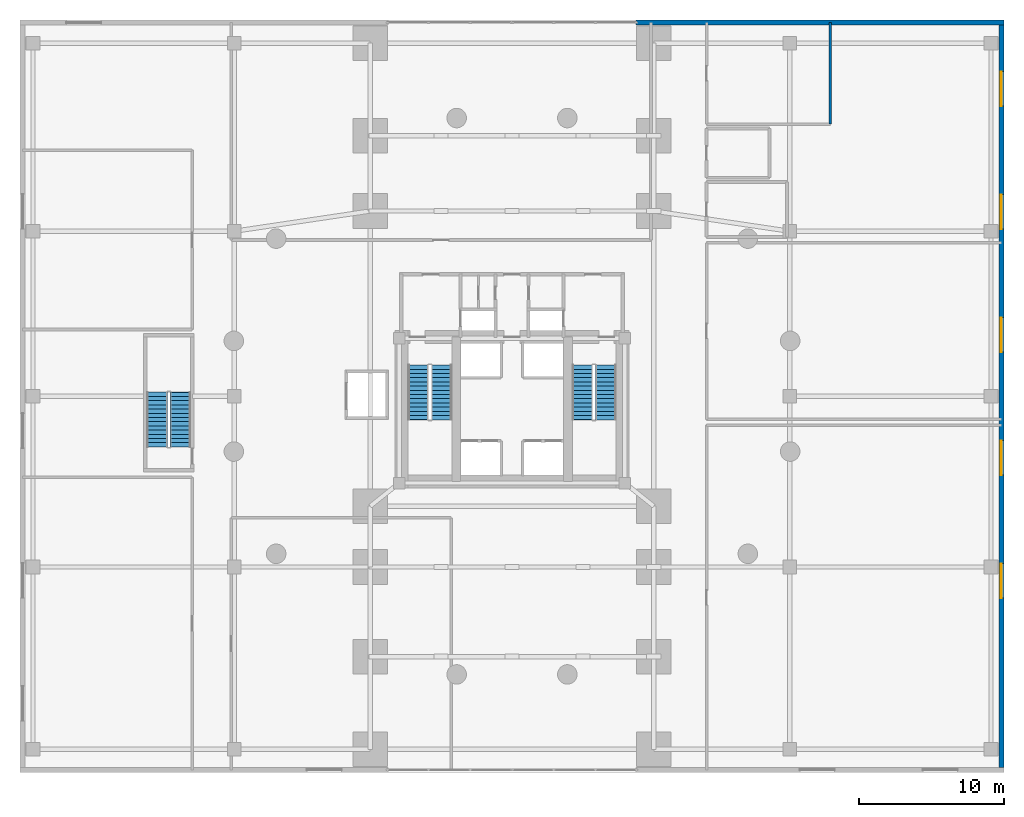
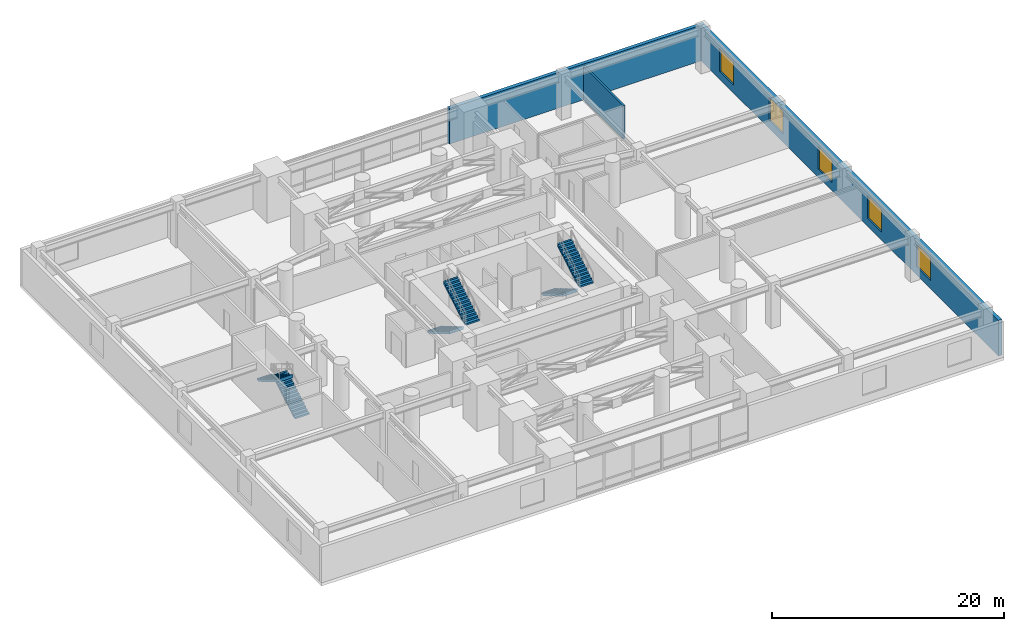
# One storey, part 16 of 17: 6 stair flights, 5 windows, 3 walls, 5 openings, 3 elements without a shape of their own.
"""IFC4 building model written with IfcOpenShell, lengths in metres."""

from ifc_helpers import new_model, si_unit, direction, frame, frame_2d, origin, place, context, subcontext, project, spatial, polyline, rectangle, outline, extrude, material, layer, layer_set, type_object, element, fill, aggregate, save


model = new_model("IFC4")

# Units and contexts
model_context = context("Model", 3, precision=1e-05, world=origin(), true_north=direction((0.0, 1.0)))
body_context = subcontext(model_context, "Body", "Model", "MODEL_VIEW")
ifc_project = project(units=[si_unit("LENGTHUNIT", "METRE"), si_unit("AREAUNIT", "SQUARE_METRE"), si_unit("VOLUMEUNIT", "CUBIC_METRE"), si_unit("PLANEANGLEUNIT", "RADIAN"), si_unit("MASSUNIT", "GRAM", prefix="KILO"), si_unit("THERMODYNAMICTEMPERATUREUNIT", "KELVIN"), si_unit("POWERUNIT", "WATT")], contexts=[model_context])

# Site, building, storey
site_placement = place(None, origin())
site = spatial("IfcSite", under=ifc_project, at=site_placement, CompositionType="ELEMENT")
building_placement = place(site_placement, origin())
building = spatial("IfcBuilding", under=site, at=building_placement, Name="Ocrelia Relay Tower", CompositionType="ELEMENT")
storey_placement = place(building_placement, frame((0.0, 0.0, 20.39990234375)))
storey = spatial("IfcBuildingStorey", under=building, at=storey_placement, Name="L04", CompositionType="ELEMENT", Elevation=20.39990234375)

# Wall
ifc_material_1 = material(Name="Gypsum Fireboard Partition EI60", Category="gypsum")
ifc_layer_1 = layer(ifc_material_1, 0.179931640625, Name="Gypsum Fireboard Partition EI60")
ifc_layer_set_1 = layer_set([ifc_layer_1], Name="Gypsum Fireboard Partition EI60")
wall_type_1 = type_object("IfcWallType", Name="W-CORR-EI60-180", PredefinedType="PARTITIONING", material=ifc_layer_set_1)
wall_1_placement = place(storey_placement, frame((56.0, 44.800048828125, 0.0), z_axis=(0.0, 0.0, 1.0), x_axis=(0.0, 1.0, 0.0)))
element("IfcWall", 1, at=wall_1_placement, inside=storey, type_object=wall_type_1, Name="L04 Terrace Reading Lounge E Partition", PredefinedType="PARTITIONING", context=body_context, shape_type="SweptSolid", body=[
    extrude(rectangle(XDim=7.02001953125, YDim=0.179931640625, at=frame_2d((3.510009765625, 0.0))), origin(), (0.0, 0.0, 1.0), 3.56005859375),
])

# Wall, openings, windows
ifc_material_2 = material(Name="Precast concrete C40/50 with oxide terracotta", Category="masonry")
ifc_layer_2 = layer(ifc_material_2, 0.35009765625, Name="Precast concrete C40/50 with oxide terracotta")
ifc_layer_set_2 = layer_set([ifc_layer_2], Name="Precast concrete C40/50 with oxide terracotta")
wall_type_2 = type_object("IfcWallType", Name="W-EXT-POD-350", PredefinedType="SOLIDWALL", material=ifc_layer_set_2)
wall_2_placement = place(storey_placement, frame((67.820068359375, 51.639892578125, 0.0), z_axis=(0.0, 0.0, 1.0), x_axis=(0.0, -1.0, 0.0)))
wall_2 = element("IfcWall", 2, at=wall_2_placement, inside=storey, type_object=wall_type_2, Name="L04 Oxide Terracotta Podium Wall EE", PredefinedType="SOLIDWALL", context=body_context, shape_type="SweptSolid", body=[
    extrude(rectangle(XDim=51.27978515625, YDim=0.35009765625, at=frame_2d((25.639892578125, 0.0))), origin(), (0.0, 0.0, 1.0), 3.760009765625),
])
opening_1_placement = place(wall_2_placement, frame((3.199951171875, 0.0, 0.85009765625)))
opening_1 = element("IfcOpeningElement", 3, at=opening_1_placement, cuts=wall_2, Name="Opening W-01", PredefinedType="OPENING", context=body_context, shape_type="SweptSolid", body=[
    extrude(rectangle(XDim=2.39990234375, YDim=2.39990234375, at=frame_2d((1.199951171875, 1.199951171875))), frame((0.0, 0.18505859375, 0.0), z_axis=(0.0, -1.0, 0.0), x_axis=(1.0, 0.0, 0.0)), (0.0, 0.0, 1.0), 0.3701171875),
])
opening_2_placement = place(wall_2_placement, frame((11.699951171875, 0.0, 0.85009765625)))
opening_2 = element("IfcOpeningElement", 4, at=opening_2_placement, cuts=wall_2, Name="Opening W-01", PredefinedType="OPENING", context=body_context, shape_type="SweptSolid", body=[
    extrude(rectangle(XDim=2.39990234375, YDim=2.39990234375, at=frame_2d((1.199951171875, 1.199951171875))), frame((0.0, 0.18505859375, 0.0), z_axis=(0.0, -1.0, 0.0), x_axis=(1.0, 0.0, 0.0)), (0.0, 0.0, 1.0), 0.3701171875),
])
opening_3_placement = place(wall_2_placement, frame((20.199951171875, 0.0, 0.85009765625)))
opening_3 = element("IfcOpeningElement", 5, at=opening_3_placement, cuts=wall_2, Name="Opening W-01", PredefinedType="OPENING", context=body_context, shape_type="SweptSolid", body=[
    extrude(rectangle(XDim=2.39990234375, YDim=2.39990234375, at=frame_2d((1.199951171875, 1.199951171875))), frame((0.0, 0.18505859375, 0.0), z_axis=(0.0, -1.0, 0.0), x_axis=(1.0, 0.0, 0.0)), (0.0, 0.0, 1.0), 0.3701171875),
])
opening_4_placement = place(wall_2_placement, frame((28.699951171875, 0.0, 0.85009765625)))
opening_4 = element("IfcOpeningElement", 6, at=opening_4_placement, cuts=wall_2, Name="Opening W-01", PredefinedType="OPENING", context=body_context, shape_type="SweptSolid", body=[
    extrude(rectangle(XDim=2.39990234375, YDim=2.39990234375, at=frame_2d((1.199951171875, 1.199951171875))), frame((0.0, 0.18505859375, 0.0), z_axis=(0.0, -1.0, 0.0), x_axis=(1.0, 0.0, 0.0)), (0.0, 0.0, 1.0), 0.3701171875),
])
opening_5_placement = place(wall_2_placement, frame((37.199951171875, 0.0, 0.85009765625)))
opening_5 = element("IfcOpeningElement", 7, at=opening_5_placement, cuts=wall_2, Name="Opening W-01", PredefinedType="OPENING", context=body_context, shape_type="SweptSolid", body=[
    extrude(rectangle(XDim=2.39990234375, YDim=2.39990234375, at=frame_2d((1.199951171875, 1.199951171875))), frame((0.0, 0.18505859375, 0.0), z_axis=(0.0, -1.0, 0.0), x_axis=(1.0, 0.0, 0.0)), (0.0, 0.0, 1.0), 0.3701171875),
])
ifc_material_3 = material(Name="Clear double-glazed low-E glass", Category="glass")
window_type = type_object("IfcWindowType", Name="WIN-POD-2400x2600", PartitioningType="SINGLE_PANEL", PredefinedType="WINDOW", material=ifc_material_3)
window_1_placement = place(opening_1_placement, origin())
window_1 = element("IfcWindow", 8, at=window_1_placement, inside=storey, type_object=window_type, Name="L04 Podium Punched Window EE-1", OverallHeight=2.39990234375, OverallWidth=2.39990234375, PartitioningType="SINGLE_PANEL", PredefinedType="WINDOW", context=body_context, shape_type="SweptSolid", body=[
    extrude(rectangle(XDim=2.39990234375, YDim=2.39990234375, at=frame_2d((1.199951171875, 1.199951171875))), frame((0.0, 0.030029296875, 0.0), z_axis=(0.0, -1.0, 0.0), x_axis=(1.0, 0.0, 0.0)), (0.0, 0.0, 1.0), 0.06005859375),
])
fill(opening_1, window_1)
window_2_placement = place(opening_2_placement, origin())
window_2 = element("IfcWindow", 9, at=window_2_placement, inside=storey, type_object=window_type, Name="L04 Podium Punched Window EE-2", OverallHeight=2.39990234375, OverallWidth=2.39990234375, PartitioningType="SINGLE_PANEL", PredefinedType="WINDOW", context=body_context, shape_type="SweptSolid", body=[
    extrude(rectangle(XDim=2.39990234375, YDim=2.39990234375, at=frame_2d((1.199951171875, 1.199951171875))), frame((0.0, 0.030029296875, 0.0), z_axis=(0.0, -1.0, 0.0), x_axis=(1.0, 0.0, 0.0)), (0.0, 0.0, 1.0), 0.06005859375),
])
fill(opening_2, window_2)
window_3_placement = place(opening_3_placement, origin())
window_3 = element("IfcWindow", 10, at=window_3_placement, inside=storey, type_object=window_type, Name="L04 Podium Punched Window EE-3", OverallHeight=2.39990234375, OverallWidth=2.39990234375, PartitioningType="SINGLE_PANEL", PredefinedType="WINDOW", context=body_context, shape_type="SweptSolid", body=[
    extrude(rectangle(XDim=2.39990234375, YDim=2.39990234375, at=frame_2d((1.199951171875, 1.199951171875))), frame((0.0, 0.030029296875, 0.0), z_axis=(0.0, -1.0, 0.0), x_axis=(1.0, 0.0, 0.0)), (0.0, 0.0, 1.0), 0.06005859375),
])
fill(opening_3, window_3)
window_4_placement = place(opening_4_placement, origin())
window_4 = element("IfcWindow", 11, at=window_4_placement, inside=storey, type_object=window_type, Name="L04 Podium Punched Window EE-4", OverallHeight=2.39990234375, OverallWidth=2.39990234375, PartitioningType="SINGLE_PANEL", PredefinedType="WINDOW", context=body_context, shape_type="SweptSolid", body=[
    extrude(rectangle(XDim=2.39990234375, YDim=2.39990234375, at=frame_2d((1.199951171875, 1.199951171875))), frame((0.0, 0.030029296875, 0.0), z_axis=(0.0, -1.0, 0.0), x_axis=(1.0, 0.0, 0.0)), (0.0, 0.0, 1.0), 0.06005859375),
])
fill(opening_4, window_4)
window_5_placement = place(opening_5_placement, origin())
window_5 = element("IfcWindow", 12, at=window_5_placement, inside=storey, type_object=window_type, Name="L04 Podium Punched Window EE-5", OverallHeight=2.39990234375, OverallWidth=2.39990234375, PartitioningType="SINGLE_PANEL", PredefinedType="WINDOW", context=body_context, shape_type="SweptSolid", body=[
    extrude(rectangle(XDim=2.39990234375, YDim=2.39990234375, at=frame_2d((1.199951171875, 1.199951171875))), frame((0.0, 0.030029296875, 0.0), z_axis=(0.0, -1.0, 0.0), x_axis=(1.0, 0.0, 0.0)), (0.0, 0.0, 1.0), 0.06005859375),
])
fill(opening_5, window_5)

# Wall
wall_3_placement = place(storey_placement, frame((42.570068359375, 51.820068359375, 0.0), z_axis=(0.0, 0.0, 1.0), x_axis=(1.0, 0.0, 0.0)))
element("IfcWall", 13, at=wall_3_placement, inside=storey, type_object=wall_type_2, Name="L04 Oxide Terracotta Podium Wall EN", PredefinedType="SOLIDWALL", context=body_context, shape_type="SweptSolid", body=[
    extrude(rectangle(XDim=25.419921875, YDim=0.35009765625, at=frame_2d((12.7099609375, 0.0))), origin(), (0.0, 0.0, 1.0), 3.760009765625),
])

# Stair, stair flights
ifc_material_4 = material(Name="Concrete C50/60", Category="concrete")
stair_type = type_object("IfcStairType", Name="ST-DL-1420-R171", PredefinedType="HALF_TURN_STAIR", material=ifc_material_4)
stair_1_placement = place(storey_placement, origin())
stair_1 = element("IfcStair", 14, at=stair_1_placement, inside=storey, type_object=stair_type, Name="L04 West Core Exit Stair ST1", PredefinedType="HALF_TURN_STAIR")
stair_flight_type = type_object("IfcStairFlightType", Name="STF-DL-1420-R171", PredefinedType="STRAIGHT", material=ifc_material_4)
stair_flight_1_placement = place(storey_placement, frame((27.52001953125, 28.14990234375, 0.0), z_axis=(0.0, 0.0, 1.0), x_axis=(0.0, -1.0, 0.0)))
stair_flight_1 = element("IfcStairFlight", 15, at=stair_flight_1_placement, type_object=stair_flight_type, Name="ST1 flight 1", NumberOfRisers=14, NumberOfTreads=13, PredefinedType="STRAIGHT", RiserHeight=0.171428571, TreadLength=0.29, context=body_context, shape_type="SweptSolid", body=[
    extrude(outline(polyline([(-0.008056640625, 0.0), (-0.008056640625, 0.17138671875), (0.0, 0.17138671875), (0.2900390625, 0.17138671875), (0.2900390625, 0.3427734375), (0.580078125, 0.3427734375), (0.580078125, 0.514404296875), (0.8701171875, 0.514404296875), (0.8701171875, 0.685791015625), (1.159912109375, 0.685791015625), (1.159912109375, 0.857177734375), (1.449951171875, 0.857177734375), (1.449951171875, 1.028564453125), (1.739990234375, 1.028564453125), (1.739990234375, 1.199951171875), (2.030029296875, 1.199951171875), (2.030029296875, 1.371337890625), (2.320068359375, 1.371337890625), (2.320068359375, 1.54296875), (2.610107421875, 1.54296875), (2.610107421875, 1.71435546875), (2.89990234375, 1.71435546875), (2.89990234375, 1.8857421875), (3.18994140625, 1.8857421875), (3.18994140625, 2.05712890625), (3.47998046875, 2.05712890625), (3.47998046875, 2.228515625), (3.77001953125, 2.228515625), (3.77001953125, 2.39990234375), (3.778076171875, 2.39990234375), (3.778076171875, 2.054443359375), (0.294677734375, 0.0), (-0.008056640625, 0.0)])), frame((0.0, 0.7099609375, 0.0), z_axis=(0.0, -1.0, 0.0), x_axis=(1.0, 0.0, 0.0)), (0.0, 0.0, 1.0), 1.419921875),
])
stair_flight_2_placement = place(storey_placement, frame((29.139892578125, 24.3798828125, 2.400146484375), z_axis=(0.0, 0.0, 1.0), x_axis=(0.0, 1.0, 0.0)))
stair_flight_2 = element("IfcStairFlight", 16, at=stair_flight_2_placement, type_object=stair_flight_type, Name="ST1 flight 2", NumberOfRisers=14, NumberOfTreads=13, PredefinedType="STRAIGHT", RiserHeight=0.171428571, TreadLength=0.29, context=body_context, shape_type="SweptSolid", body=[
    extrude(outline(polyline([(-0.008056640625, 0.0), (-0.008056640625, 0.17138671875), (0.0, 0.17138671875), (0.2900390625, 0.17138671875), (0.2900390625, 0.3427734375), (0.580078125, 0.3427734375), (0.580078125, 0.514404296875), (0.8701171875, 0.514404296875), (0.8701171875, 0.685791015625), (1.159912109375, 0.685791015625), (1.159912109375, 0.857177734375), (1.449951171875, 0.857177734375), (1.449951171875, 1.028564453125), (1.739990234375, 1.028564453125), (1.739990234375, 1.199951171875), (2.030029296875, 1.199951171875), (2.030029296875, 1.371337890625), (2.320068359375, 1.371337890625), (2.320068359375, 1.54296875), (2.610107421875, 1.54296875), (2.610107421875, 1.71435546875), (2.89990234375, 1.71435546875), (2.89990234375, 1.8857421875), (3.18994140625, 1.8857421875), (3.18994140625, 2.05712890625), (3.47998046875, 2.05712890625), (3.47998046875, 2.228515625), (3.77001953125, 2.228515625), (3.77001953125, 2.39990234375), (3.778076171875, 2.39990234375), (3.778076171875, 2.054443359375), (0.294677734375, 0.0), (-0.008056640625, 0.0)])), frame((0.0, 0.7099609375, 0.0), z_axis=(0.0, -1.0, 0.0), x_axis=(1.0, 0.0, 0.0)), (0.0, 0.0, 1.0), 1.419921875),
])
aggregate(stair_1, [stair_flight_1, stair_flight_2])

stair_2_placement = place(storey_placement, origin())
stair_2 = element("IfcStair", 17, at=stair_2_placement, inside=storey, type_object=stair_type, Name="L04 East Core Exit Stair ST2", PredefinedType="HALF_TURN_STAIR")
stair_flight_3_placement = place(storey_placement, frame((38.8701171875, 28.14990234375, 0.0), z_axis=(0.0, 0.0, 1.0), x_axis=(0.0, -1.0, 0.0)))
stair_flight_3 = element("IfcStairFlight", 18, at=stair_flight_3_placement, type_object=stair_flight_type, Name="ST2 flight 1", NumberOfRisers=14, NumberOfTreads=13, PredefinedType="STRAIGHT", RiserHeight=0.171428571, TreadLength=0.29, context=body_context, shape_type="SweptSolid", body=[
    extrude(outline(polyline([(-0.008056640625, 0.0), (-0.008056640625, 0.17138671875), (0.0, 0.17138671875), (0.2900390625, 0.17138671875), (0.2900390625, 0.3427734375), (0.580078125, 0.3427734375), (0.580078125, 0.514404296875), (0.8701171875, 0.514404296875), (0.8701171875, 0.685791015625), (1.159912109375, 0.685791015625), (1.159912109375, 0.857177734375), (1.449951171875, 0.857177734375), (1.449951171875, 1.028564453125), (1.739990234375, 1.028564453125), (1.739990234375, 1.199951171875), (2.030029296875, 1.199951171875), (2.030029296875, 1.371337890625), (2.320068359375, 1.371337890625), (2.320068359375, 1.54296875), (2.610107421875, 1.54296875), (2.610107421875, 1.71435546875), (2.89990234375, 1.71435546875), (2.89990234375, 1.8857421875), (3.18994140625, 1.8857421875), (3.18994140625, 2.05712890625), (3.47998046875, 2.05712890625), (3.47998046875, 2.228515625), (3.77001953125, 2.228515625), (3.77001953125, 2.39990234375), (3.778076171875, 2.39990234375), (3.778076171875, 2.054443359375), (0.294677734375, 0.0), (-0.008056640625, 0.0)])), frame((0.0, 0.7099609375, 0.0), z_axis=(0.0, -1.0, 0.0), x_axis=(1.0, 0.0, 0.0)), (0.0, 0.0, 1.0), 1.419921875),
])
stair_flight_4_placement = place(storey_placement, frame((40.489990234375, 24.3798828125, 2.400146484375), z_axis=(0.0, 0.0, 1.0), x_axis=(0.0, 1.0, 0.0)))
stair_flight_4 = element("IfcStairFlight", 19, at=stair_flight_4_placement, type_object=stair_flight_type, Name="ST2 flight 2", NumberOfRisers=14, NumberOfTreads=13, PredefinedType="STRAIGHT", RiserHeight=0.171428571, TreadLength=0.29, context=body_context, shape_type="SweptSolid", body=[
    extrude(outline(polyline([(-0.008056640625, 0.0), (-0.008056640625, 0.17138671875), (0.0, 0.17138671875), (0.2900390625, 0.17138671875), (0.2900390625, 0.3427734375), (0.580078125, 0.3427734375), (0.580078125, 0.514404296875), (0.8701171875, 0.514404296875), (0.8701171875, 0.685791015625), (1.159912109375, 0.685791015625), (1.159912109375, 0.857177734375), (1.449951171875, 0.857177734375), (1.449951171875, 1.028564453125), (1.739990234375, 1.028564453125), (1.739990234375, 1.199951171875), (2.030029296875, 1.199951171875), (2.030029296875, 1.371337890625), (2.320068359375, 1.371337890625), (2.320068359375, 1.54296875), (2.610107421875, 1.54296875), (2.610107421875, 1.71435546875), (2.89990234375, 1.71435546875), (2.89990234375, 1.8857421875), (3.18994140625, 1.8857421875), (3.18994140625, 2.05712890625), (3.47998046875, 2.05712890625), (3.47998046875, 2.228515625), (3.77001953125, 2.228515625), (3.77001953125, 2.39990234375), (3.778076171875, 2.39990234375), (3.778076171875, 2.054443359375), (0.294677734375, 0.0), (-0.008056640625, 0.0)])), frame((0.0, 0.7099609375, 0.0), z_axis=(0.0, -1.0, 0.0), x_axis=(1.0, 0.0, 0.0)), (0.0, 0.0, 1.0), 1.419921875),
])
aggregate(stair_2, [stair_flight_3, stair_flight_4])

stair_3_placement = place(storey_placement, origin())
stair_3 = element("IfcStair", 20, at=stair_3_placement, inside=storey, type_object=stair_type, Name="L04 Podium West Exit Stair ST3", PredefinedType="HALF_TURN_STAIR")
stair_flight_5_placement = place(storey_placement, frame((11.090087890625, 22.5, 0.0), z_axis=(0.0, 0.0, 1.0), x_axis=(0.0, 1.0, 0.0)))
stair_flight_5 = element("IfcStairFlight", 21, at=stair_flight_5_placement, type_object=stair_flight_type, Name="ST3 flight 1", NumberOfRisers=14, NumberOfTreads=13, PredefinedType="STRAIGHT", RiserHeight=0.171428571, TreadLength=0.29, context=body_context, shape_type="SweptSolid", body=[
    extrude(outline(polyline([(-0.008056640625, 0.0), (-0.008056640625, 0.17138671875), (0.0, 0.17138671875), (0.2900390625, 0.17138671875), (0.2900390625, 0.3427734375), (0.580078125, 0.3427734375), (0.580078125, 0.514404296875), (0.8701171875, 0.514404296875), (0.8701171875, 0.685791015625), (1.159912109375, 0.685791015625), (1.159912109375, 0.857177734375), (1.449951171875, 0.857177734375), (1.449951171875, 1.028564453125), (1.739990234375, 1.028564453125), (1.739990234375, 1.199951171875), (2.030029296875, 1.199951171875), (2.030029296875, 1.371337890625), (2.320068359375, 1.371337890625), (2.320068359375, 1.54296875), (2.610107421875, 1.54296875), (2.610107421875, 1.71435546875), (2.89990234375, 1.71435546875), (2.89990234375, 1.8857421875), (3.18994140625, 1.8857421875), (3.18994140625, 2.05712890625), (3.47998046875, 2.05712890625), (3.47998046875, 2.228515625), (3.77001953125, 2.228515625), (3.77001953125, 2.39990234375), (3.778076171875, 2.39990234375), (3.778076171875, 2.054443359375), (0.294677734375, 0.0), (-0.008056640625, 0.0)])), frame((0.0, 0.7099609375, 0.0), z_axis=(0.0, -1.0, 0.0), x_axis=(1.0, 0.0, 0.0)), (0.0, 0.0, 1.0), 1.419921875),
])
stair_flight_6_placement = place(storey_placement, frame((9.469970703125, 26.27001953125, 2.400146484375), z_axis=(0.0, 0.0, 1.0), x_axis=(0.0, -1.0, 0.0)))
stair_flight_6 = element("IfcStairFlight", 22, at=stair_flight_6_placement, type_object=stair_flight_type, Name="ST3 flight 2", NumberOfRisers=14, NumberOfTreads=13, PredefinedType="STRAIGHT", RiserHeight=0.171428571, TreadLength=0.29, context=body_context, shape_type="SweptSolid", body=[
    extrude(outline(polyline([(-0.008056640625, 0.0), (-0.008056640625, 0.17138671875), (0.0, 0.17138671875), (0.2900390625, 0.17138671875), (0.2900390625, 0.3427734375), (0.580078125, 0.3427734375), (0.580078125, 0.514404296875), (0.8701171875, 0.514404296875), (0.8701171875, 0.685791015625), (1.159912109375, 0.685791015625), (1.159912109375, 0.857177734375), (1.449951171875, 0.857177734375), (1.449951171875, 1.028564453125), (1.739990234375, 1.028564453125), (1.739990234375, 1.199951171875), (2.030029296875, 1.199951171875), (2.030029296875, 1.371337890625), (2.320068359375, 1.371337890625), (2.320068359375, 1.54296875), (2.610107421875, 1.54296875), (2.610107421875, 1.71435546875), (2.89990234375, 1.71435546875), (2.89990234375, 1.8857421875), (3.18994140625, 1.8857421875), (3.18994140625, 2.05712890625), (3.47998046875, 2.05712890625), (3.47998046875, 2.228515625), (3.77001953125, 2.228515625), (3.77001953125, 2.39990234375), (3.778076171875, 2.39990234375), (3.778076171875, 2.054443359375), (0.294677734375, 0.0), (-0.008056640625, 0.0)])), frame((0.0, 0.7099609375, 0.0), z_axis=(0.0, -1.0, 0.0), x_axis=(1.0, 0.0, 0.0)), (0.0, 0.0, 1.0), 1.419921875),
])
aggregate(stair_3, [stair_flight_5, stair_flight_6])

save(model, "model.ifc")
